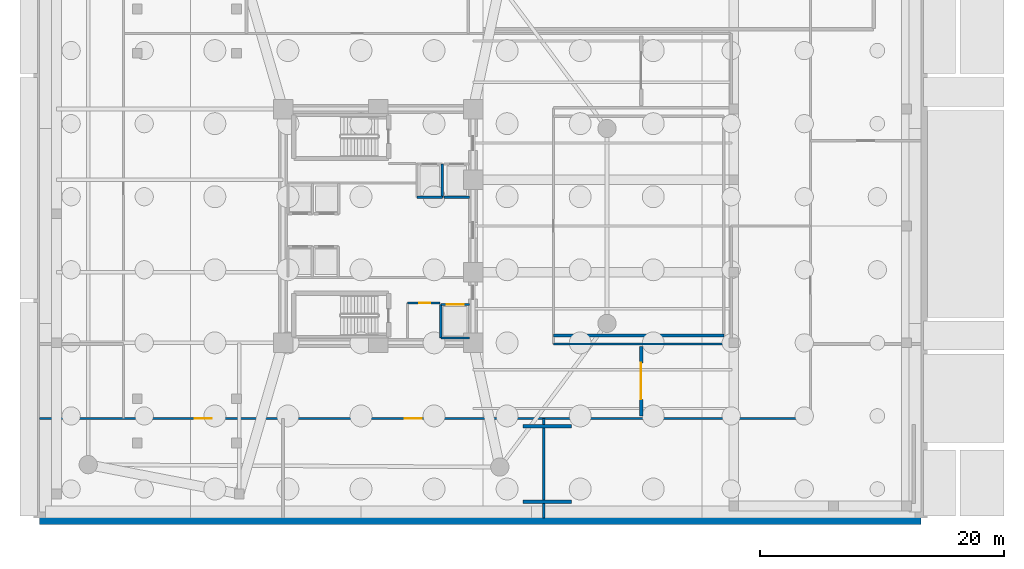
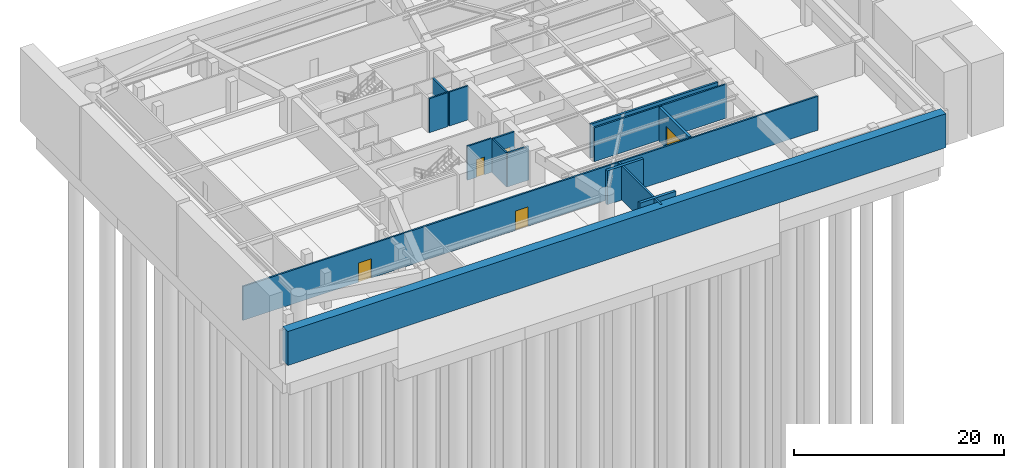
# One storey, part 4 of 8: 15 walls, 5 doors, 5 openings.
"""IFC4 building model written with IfcOpenShell, lengths in metres."""

import ifcopenshell
import ifcopenshell.guid

model = None  # the IFC model being written
_history = None  # IfcOwnerHistory: only IFC2X3 demands one
_inside = {}  # id of a spatial element -> (the spatial element, [elements in it])
_under = {}  # id of a project, library or spatial element -> (it, [spatial elements below it])
_declared = {}  # id of a project -> (the project, [libraries it declares])
_typed = {}  # id of a type object -> (the type object, [elements of that type])
_made_of = {}  # id of a material, layer set ... -> (it, [elements and type objects made of it])


def new_model(schema):
    """Start an empty IFC model of exactly this schema.

    Asked for "IFC4X3", IfcOpenShell would pick the latest addendum, in which some entities
    have other attributes; the version numbers below select the first issue.
    IFC2X3 requires an IfcOwnerHistory on every rooted entity: one is made here for all.
    """
    global model, _history
    if schema == "IFC4X3":
        model = ifcopenshell.file(schema_version=(4, 3, 0, 0))
    else:
        model = ifcopenshell.file(schema=schema)
    _inside.clear()
    _under.clear()
    _declared.clear()
    _typed.clear()
    _made_of.clear()
    _history = None
    if model.schema == "IFC2X3":
        org = make("IfcOrganization", Name="unknown")
        user = make(
            "IfcPersonAndOrganization",
            ThePerson=make("IfcPerson", FamilyName="unknown"),
            TheOrganization=org,
        )
        app = make(
            "IfcApplication",
            ApplicationDeveloper=org,
            Version="unknown",
            ApplicationFullName="unknown",
            ApplicationIdentifier="unknown",
        )
        _history = make(
            "IfcOwnerHistory",
            OwningUser=user,
            OwningApplication=app,
            ChangeAction="ADDED",
            CreationDate=0,
        )
    return model


def make(cls, **values):
    """One entity of the class cls with the attributes given. An attribute that is None is left unset."""
    return model.create_entity(
        cls, **{name: value for name, value in values.items() if value is not None}
    )


def rooted(cls, **values):
    """An entity with a GlobalId (a new one), such as an element, a storey or a relation."""
    return make(cls, GlobalId=ifcopenshell.guid.new(), OwnerHistory=_history, **values)


def si_unit(unit_type, name, prefix=None):
    """IfcSIUnit, for example si_unit("LENGTHUNIT", "METRE", prefix="MILLI")."""
    return make("IfcSIUnit", UnitType=unit_type, Prefix=prefix, Name=name)


def assignment(units):
    """IfcUnitAssignment: the units of a project."""
    return None if units is None else make("IfcUnitAssignment", Units=units)


def point(xyz):
    """IfcCartesianPoint."""
    return None if xyz is None else make("IfcCartesianPoint", Coordinates=xyz)


def direction(xyz):
    """IfcDirection."""
    return None if xyz is None else make("IfcDirection", DirectionRatios=xyz)


def frame(location, z_axis=None, x_axis=None):
    """IfcAxis2Placement3D, a coordinate frame: its origin and axes. An axis left out is left unset."""
    return make(
        "IfcAxis2Placement3D",
        Location=point(location),
        Axis=direction(z_axis),
        RefDirection=direction(x_axis),
    )


def frame_2d(location, x_axis=None):
    """IfcAxis2Placement2D, a coordinate frame in the plane: its origin and x axis."""
    return make(
        "IfcAxis2Placement2D", Location=point(location), RefDirection=direction(x_axis)
    )


def origin():
    """The frame at (0, 0, 0) with its axes left unset."""
    return frame((0.0, 0.0, 0.0))


def place(relative_to, where):
    """IfcLocalPlacement: puts the frame where relative to a parent placement (None: the world)."""
    return make(
        "IfcLocalPlacement", PlacementRelTo=relative_to, RelativePlacement=where
    )


def context(
    kind, dimensions, precision=None, world=None, true_north=None, identifier=None
):
    """IfcGeometricRepresentationContext, for example the 3D "Model" context."""
    return make(
        "IfcGeometricRepresentationContext",
        ContextIdentifier=identifier,
        ContextType=kind,
        CoordinateSpaceDimension=dimensions,
        Precision=precision,
        WorldCoordinateSystem=world,
        TrueNorth=true_north,
    )


def subcontext(parent, identifier, kind, view, scale=None):
    """IfcGeometricRepresentationSubContext, for example "Body" below "Model"."""
    return make(
        "IfcGeometricRepresentationSubContext",
        ContextIdentifier=identifier,
        ContextType=kind,
        ParentContext=parent,
        TargetScale=scale,
        TargetView=view,
    )


def project(units=None, contexts=None):
    """IfcProject with its units and contexts."""
    return rooted(
        "IfcProject",
        Name="project",
        RepresentationContexts=contexts,
        UnitsInContext=assignment(units),
    )


def spatial(cls, under=None, at=None, **own):
    """A site, building, storey or space (cls), placed at a placement, below another one or the project."""
    s = rooted(cls, ObjectPlacement=at, **own)
    if under is not None:
        _under.setdefault(under.id(), (under, []))[1].append(s)
    return s


def profile(cls, at=None, kind="AREA", **sizes):
    """A parametric profile (cls). Its sizes go by their IFC names, for example OverallWidth=200.0."""
    return make(cls, ProfileType=kind, Position=at, **sizes)


def rectangle(**sizes):
    """IfcRectangleProfileDef."""
    return profile("IfcRectangleProfileDef", **sizes)


def extrude(swept, where, along, depth):
    """IfcExtrudedAreaSolid: the profile swept, set in the frame where, extruded along a direction by depth."""
    return make(
        "IfcExtrudedAreaSolid",
        SweptArea=swept,
        Position=where,
        ExtrudedDirection=direction(along),
        Depth=depth,
    )


def shape(context_of_items, identifier, shape_type, items):
    """IfcShapeRepresentation: the items that make up one representation, for example the "Body"."""
    return make(
        "IfcShapeRepresentation",
        ContextOfItems=context_of_items,
        RepresentationIdentifier=identifier,
        RepresentationType=shape_type,
        Items=items,
    )


def material(Name=None, Category=None):
    """IfcMaterial."""
    return make("IfcMaterial", Name=Name, Category=Category)


def layer(
    of_material, thickness, ventilated=None, Name=None, Category=None, Priority=None
):
    """IfcMaterialLayer: one layer of a wall or slab, of a material (None: an air gap)."""
    return make(
        "IfcMaterialLayer",
        Material=of_material,
        LayerThickness=thickness,
        IsVentilated=ventilated,
        Name=Name,
        Category=Category,
        Priority=Priority,
    )


def layer_set(layers, Name=None):
    """IfcMaterialLayerSet."""
    return make("IfcMaterialLayerSet", MaterialLayers=layers, LayerSetName=Name)


def made_of(thing, what):
    """Note that an element or type object is made of a material, layer set ...; save() writes the relation."""
    if what is not None:
        _made_of.setdefault(what.id(), (what, []))[1].append(thing)
    return thing


def type_object(cls, material=None, **own):
    """A type object (cls), such as IfcWallType, which elements share."""
    return made_of(rooted(cls, **own), material)


def element(
    cls,
    number,
    at=None,
    inside=None,
    cuts=None,
    type_object=None,
    material=None,
    context=None,
    identifier="Body",
    shape_type=None,
    held_by="IfcProductDefinitionShape",
    body=None,
    shapes=None,
    **own,
):
    """One element of the class cls, such as IfcWall. Its Tag is "e" and its number.

    at: its placement. inside: the storey or other place that contains it. cuts: it is an
    opening in that element (IfcRelVoidsElement). A single representation is given by context,
    identifier, shape_type and body (its items); several are given by shapes. held_by: the class
    of the entity that holds the representations. save() writes the other relations.
    """
    e = rooted(cls, Tag="e%d" % number, ObjectPlacement=at, **own)
    if body is not None:
        shapes = [shape(context, identifier, shape_type, body)]
    if shapes is not None:
        e.Representation = make(held_by, Representations=shapes)
    if inside is not None:
        _inside.setdefault(inside.id(), (inside, []))[1].append(e)
    if cuts is not None:
        rooted(
            "IfcRelVoidsElement", RelatingBuildingElement=cuts, RelatedOpeningElement=e
        )
    if type_object is not None:
        _typed.setdefault(type_object.id(), (type_object, []))[1].append(e)
    return made_of(e, material)


def fill(opening, filler):
    """IfcRelFillsElement: the door or window that sits in an opening."""
    return rooted(
        "IfcRelFillsElement",
        RelatingOpeningElement=opening,
        RelatedBuildingElement=filler,
    )


def aggregate(whole, parts):
    """IfcRelAggregates: a whole, such as a stair, and the parts it consists of."""
    return rooted("IfcRelAggregates", RelatingObject=whole, RelatedObjects=parts)


def save(model, path):
    """Write the relations noted so far, then the file.

    IfcRelAggregates (storeys below a building ...), IfcRelContainedInSpatialStructure (elements
    in a storey), IfcRelDefinesByType, IfcRelAssociatesMaterial and IfcRelDeclares: one each for
    every whole, place, type object, material and project.
    """
    for whole, parts in _under.values():
        aggregate(whole, parts)
    for where, things in _inside.values():
        rooted(
            "IfcRelContainedInSpatialStructure",
            RelatedElements=things,
            RelatingStructure=where,
        )
    for kind, things in _typed.values():
        rooted("IfcRelDefinesByType", RelatedObjects=things, RelatingType=kind)
    for what, things in _made_of.values():
        rooted("IfcRelAssociatesMaterial", RelatedObjects=things, RelatingMaterial=what)
    for by, libraries in _declared.values():
        rooted("IfcRelDeclares", RelatingContext=by, RelatedDefinitions=libraries)
    model.write(path)


model = new_model("IFC4")

# Units and contexts
model_context = context("Model", 3, precision=1e-05, world=origin(), true_north=direction((0.0, 1.0)))
body_context = subcontext(model_context, "Body", "Model", "MODEL_VIEW")
ifc_project = project(units=[si_unit("LENGTHUNIT", "METRE"), si_unit("AREAUNIT", "SQUARE_METRE"), si_unit("VOLUMEUNIT", "CUBIC_METRE"), si_unit("PLANEANGLEUNIT", "RADIAN"), si_unit("MASSUNIT", "GRAM", prefix="KILO")], contexts=[model_context])

# Site, building, storey
site_placement = place(None, origin())
site = spatial("IfcSite", under=ifc_project, at=site_placement, CompositionType="ELEMENT")
building_placement = place(site_placement, origin())
building = spatial("IfcBuilding", under=site, at=building_placement, Name="An Khanh Terracotta Commons", CompositionType="ELEMENT")
storey_placement = place(building_placement, frame((0.0, 0.0, -8.39990234375)))
storey = spatial("IfcBuildingStorey", under=building, at=storey_placement, Name="B02", CompositionType="ELEMENT", Elevation=-8.39990234375)

# Wall, opening, door
ifc_material_1 = material(Name="Fire-Rated Gypsum Board on Steel Stud", Category="steel")
ifc_layer_1 = layer(ifc_material_1, 0.179931640625, Name="Fire-Rated Gypsum Board on Steel Stud")
ifc_layer_set_1 = layer_set([ifc_layer_1], Name="Fire-Rated Gypsum Board on Steel Stud")
wall_type_1 = type_object("IfcWallType", Name="WALL-CORR-180", PredefinedType="PARTITIONING", material=ifc_layer_set_1)
wall_1_placement = place(storey_placement, frame((31.820068359375, 17.679931640625, 0.0), z_axis=(0.0, 0.0, 1.0), x_axis=(1.0, 0.0, 0.0)))
wall_1 = element("IfcWall", 1, at=wall_1_placement, inside=storey, type_object=wall_type_1, Name="B02 Core Wall SSVCW-B02-N", PredefinedType="PARTITIONING", context=body_context, shape_type="SweptSolid", body=[
    extrude(rectangle(XDim=2.659912109375, YDim=0.179931640625, at=frame_2d((1.330078125, 0.0))), origin(), (0.0, 0.0, 1.0), 3.949951171875),
])
opening_1_placement = place(wall_1_placement, frame((0.949951171875, 0.0, 0.0)))
opening_1 = element("IfcOpeningElement", 2, at=opening_1_placement, cuts=wall_1, Name="Opening D-SV", PredefinedType="OPENING", context=body_context, shape_type="SweptSolid", body=[
    extrude(rectangle(XDim=0.89990234375, YDim=2.050048828125, at=frame_2d((0.449951171875, 1.02490234375))), frame((0.0, 0.099853515625, 0.0), z_axis=(0.0, -1.0, 0.0), x_axis=(1.0, 0.0, 0.0)), (0.0, 0.0, 1.0), 0.199951171875),
])
ifc_material_2 = material(Name="Fire-Rated Powder-Coated Steel Door", Category="steel")
door_type_1 = type_object("IfcDoorType", Name="DOOR-SERV-900", OperationType="NOTDEFINED", PredefinedType="DOOR", material=ifc_material_2)
door_1_placement = place(opening_1_placement, origin())
door_1 = element("IfcDoor", 3, at=door_1_placement, inside=storey, type_object=door_type_1, Name="B02 Electrical Switch Cupboard Door", OperationType="SINGLE_SWING_RIGHT", OverallHeight=2.050048828125, OverallWidth=0.89990234375, PredefinedType="DOOR", context=body_context, shape_type="SweptSolid", body=[
    extrude(rectangle(XDim=0.89990234375, YDim=2.050048828125, at=frame_2d((0.449951171875, 1.02490234375))), frame((0.0, 0.02490234375, 0.0), z_axis=(0.0, -1.0, 0.0), x_axis=(1.0, 0.0, 0.0)), (0.0, 0.0, 1.0), 0.050048828125),
])
fill(opening_1, door_1)

# Walls
wall_2_placement = place(storey_placement, frame((34.679931640625, 26.35009765625, 0.0), z_axis=(0.0, 0.0, 1.0), x_axis=(-1.0, 0.0, 0.0)))
element("IfcWall", 4, at=wall_2_placement, inside=storey, type_object=wall_type_1, Name="B02 Core Wall LSH-B02-FFL-01-S", PredefinedType="PARTITIONING", context=body_context, shape_type="SweptSolid", body=[
    extrude(rectangle(XDim=2.079833984375, YDim=0.179931640625, at=frame_2d((1.0400390625, 0.0))), origin(), (0.0, 0.0, 1.0), 3.949951171875),
])
wall_3_placement = place(storey_placement, frame((34.679931640625, 26.35009765625, 0.0), z_axis=(0.0, 0.0, 1.0), x_axis=(0.0, 1.0, 0.0)))
element("IfcWall", 5, at=wall_3_placement, inside=storey, type_object=wall_type_1, Name="B02 Core Wall LSH-B02-FFL-01-E", PredefinedType="PARTITIONING", context=body_context, shape_type="SweptSolid", body=[
    extrude(rectangle(XDim=2.72998046875, YDim=0.179931640625, at=frame_2d((1.364990234375, 0.0))), origin(), (0.0, 0.0, 1.0), 3.949951171875),
])
wall_4_placement = place(storey_placement, frame((36.89990234375, 26.35009765625, 0.0), z_axis=(0.0, 0.0, 1.0), x_axis=(-1.0, 0.0, 0.0)))
element("IfcWall", 6, at=wall_4_placement, inside=storey, type_object=wall_type_1, Name="B02 Core Wall LSH-B02-FFL-02-S", PredefinedType="PARTITIONING", context=body_context, shape_type="SweptSolid", body=[
    extrude(rectangle(XDim=2.079833984375, YDim=0.179931640625, at=frame_2d((1.0400390625, 0.0))), origin(), (0.0, 0.0, 1.0), 3.949951171875),
])

# Wall, opening, door
wall_5_placement = place(storey_placement, frame((34.550048828125, 17.550048828125, 0.0), z_axis=(0.0, 0.0, 1.0), x_axis=(1.0, 0.0, 0.0)))
wall_5 = element("IfcWall", 7, at=wall_5_placement, inside=storey, type_object=wall_type_1, Name="B02 Core Wall LSH-B02-SVL-01-N", PredefinedType="PARTITIONING", context=body_context, shape_type="SweptSolid", body=[
    extrude(rectangle(XDim=2.349853515625, YDim=0.179931640625, at=frame_2d((1.1748046875, 0.0))), origin(), (0.0, 0.0, 1.0), 3.949951171875),
])
opening_2_placement = place(wall_5_placement, frame((0.47509765625, 0.0, 0.0)))
opening_2 = element("IfcOpeningElement", 8, at=opening_2_placement, cuts=wall_5, Name="Opening LD-SVL-01-B02", PredefinedType="OPENING", context=body_context, shape_type="SweptSolid", body=[
    extrude(rectangle(XDim=1.39990234375, YDim=2.300048828125, at=frame_2d((0.699951171875, 1.14990234375))), frame((0.0, 0.099853515625, 0.0), z_axis=(0.0, -1.0, 0.0), x_axis=(1.0, 0.0, 0.0)), (0.0, 0.0, 1.0), 0.199951171875),
])
ifc_material_3 = material(Name="Heavy-Duty Stainless Steel Goods Landing Door", Category="steel")
door_type_2 = type_object("IfcDoorType", Name="DOOR-LD-SVL-1400", OperationType="NOTDEFINED", PredefinedType="DOOR", material=ifc_material_3)
door_2_placement = place(opening_2_placement, origin())
door_2 = element("IfcDoor", 9, at=door_2_placement, inside=storey, type_object=door_type_2, Name="B02 Lift SVL-01 Sliding Landing Door", OperationType="DOUBLE_DOOR_SLIDING", OverallHeight=2.300048828125, OverallWidth=1.39990234375, PredefinedType="DOOR", context=body_context, shape_type="SweptSolid", body=[
    extrude(rectangle(XDim=1.39990234375, YDim=2.300048828125, at=frame_2d((0.699951171875, 1.14990234375))), frame((0.0, 0.02490234375, 0.0), z_axis=(0.0, -1.0, 0.0), x_axis=(1.0, 0.0, 0.0)), (0.0, 0.0, 1.0), 0.050048828125),
])
fill(opening_2, door_2)

# Walls
wall_6_placement = place(storey_placement, frame((36.89990234375, 14.800048828125, 0.0), z_axis=(0.0, 0.0, 1.0), x_axis=(-1.0, 0.0, 0.0)))
element("IfcWall", 10, at=wall_6_placement, inside=storey, type_object=wall_type_1, Name="B02 Core Wall LSH-B02-SVL-01-S", PredefinedType="PARTITIONING", context=body_context, shape_type="SweptSolid", body=[
    extrude(rectangle(XDim=2.349853515625, YDim=0.179931640625, at=frame_2d((1.1748046875, 0.0))), origin(), (0.0, 0.0, 1.0), 3.949951171875),
])
wall_7_placement = place(storey_placement, frame((34.550048828125, 17.550048828125, 0.0), z_axis=(0.0, 0.0, 1.0), x_axis=(0.0, -1.0, 0.0)))
element("IfcWall", 11, at=wall_7_placement, inside=storey, type_object=wall_type_1, Name="B02 Core Wall LSH-B02-SVL-01-W", PredefinedType="PARTITIONING", context=body_context, shape_type="SweptSolid", body=[
    extrude(rectangle(XDim=2.75, YDim=0.179931640625, at=frame_2d((1.375, 0.0))), origin(), (0.0, 0.0, 1.0), 3.949951171875),
])

# Wall, openings, doors
wall_8_placement = place(storey_placement, frame((1.60009765625, 8.199951171875, 0.0), z_axis=(0.0, 0.0, 1.0), x_axis=(1.0, 0.0, 0.0)))
wall_8 = element("IfcWall", 12, at=wall_8_placement, inside=storey, type_object=wall_type_1, Name="B02 Interior Partition IW-B02-E001", PredefinedType="PARTITIONING", context=body_context, shape_type="SweptSolid", body=[
    extrude(rectangle(XDim=63.2998046875, YDim=0.179931640625, at=frame_2d((31.64990234375, 0.0))), origin(), (0.0, 0.0, 1.0), 3.949951171875),
])
opening_3_placement = place(wall_8_placement, frame((12.75, 0.0, 0.0)))
opening_3 = element("IfcOpeningElement", 13, at=opening_3_placement, cuts=wall_8, Name="Opening D-PL", PredefinedType="OPENING", context=body_context, shape_type="SweptSolid", body=[
    extrude(rectangle(XDim=1.39990234375, YDim=2.25, at=frame_2d((0.699951171875, 1.125))), frame((0.0, 0.099853515625, 0.0), z_axis=(0.0, -1.0, 0.0), x_axis=(1.0, 0.0, 0.0)), (0.0, 0.0, 1.0), 0.199951171875),
])
opening_4_placement = place(wall_8_placement, frame((30.0, 0.0, 0.0)))
opening_4 = element("IfcOpeningElement", 14, at=opening_4_placement, cuts=wall_8, Name="Opening D-PL", PredefinedType="OPENING", context=body_context, shape_type="SweptSolid", body=[
    extrude(rectangle(XDim=1.39990234375, YDim=2.25, at=frame_2d((0.699951171875, 1.125))), frame((0.0, 0.099853515625, 0.0), z_axis=(0.0, -1.0, 0.0), x_axis=(1.0, 0.0, 0.0)), (0.0, 0.0, 1.0), 0.199951171875),
])
ifc_material_4 = material(Name="Heavy-Duty Acoustic Steel Double Plant Door", Category="steel")
door_type_3 = type_object("IfcDoorType", Name="DOOR-PLANT-1400", OperationType="NOTDEFINED", PredefinedType="DOOR", material=ifc_material_4)
door_3_placement = place(opening_3_placement, origin())
door_3 = element("IfcDoor", 15, at=door_3_placement, inside=storey, type_object=door_type_3, Name="B02 FWT Fire Water Reserve Tank Room Door", OperationType="DOUBLE_DOOR_SINGLE_SWING", OverallHeight=2.25, OverallWidth=1.39990234375, PredefinedType="DOOR", context=body_context, shape_type="SweptSolid", body=[
    extrude(rectangle(XDim=1.39990234375, YDim=2.25, at=frame_2d((0.699951171875, 1.125))), frame((0.0, 0.02490234375, 0.0), z_axis=(0.0, -1.0, 0.0), x_axis=(1.0, 0.0, 0.0)), (0.0, 0.0, 1.0), 0.050048828125),
])
fill(opening_3, door_3)
door_4_placement = place(opening_4_placement, origin())
door_4 = element("IfcDoor", 16, at=door_4_placement, inside=storey, type_object=door_type_3, Name="B02 DWT Domestic Potable Water Tank Room Door", OperationType="DOUBLE_DOOR_SINGLE_SWING", OverallHeight=2.25, OverallWidth=1.39990234375, PredefinedType="DOOR", context=body_context, shape_type="SweptSolid", body=[
    extrude(rectangle(XDim=1.39990234375, YDim=2.25, at=frame_2d((0.699951171875, 1.125))), frame((0.0, 0.02490234375, 0.0), z_axis=(0.0, -1.0, 0.0), x_axis=(1.0, 0.0, 0.0)), (0.0, 0.0, 1.0), 0.050048828125),
])
fill(opening_4, door_4)

# Walls
wall_9_placement = place(storey_placement, frame((43.800048828125, 14.300048828125, 0.0), z_axis=(0.0, 0.0, 1.0), x_axis=(1.0, 0.0, 0.0)))
element("IfcWall", 17, at=wall_9_placement, inside=storey, type_object=wall_type_1, Name="B02 Interior Partition IW-B02-E003", PredefinedType="PARTITIONING", context=body_context, shape_type="SweptSolid", body=[
    extrude(rectangle(XDim=14.599853515625, YDim=0.179931640625, at=frame_2d((7.2998046875, 0.0))), origin(), (0.0, 0.0, 1.0), 3.949951171875),
])
ifc_material_5 = material(Name="Concrete C50/60", Category="concrete")
ifc_layer_2 = layer(ifc_material_5, 1.0, Name="Concrete C50/60")
ifc_layer_set_2 = layer_set([ifc_layer_2], Name="Concrete C50/60")
wall_type_2 = type_object("IfcWallType", Name="WALL-DIAPH-1000", PredefinedType="SOLIDWALL", material=ifc_layer_set_2)
wall_10_placement = place(storey_placement, frame((1.60009765625, 0.0, 0.0), z_axis=(0.0, 0.0, 1.0), x_axis=(1.0, 0.0, 0.0)))
element("IfcWall", 18, at=wall_10_placement, inside=storey, type_object=wall_type_2, Name="B02 Perimeter Diaphragm Wall 1", PredefinedType="SOLIDWALL", context=body_context, shape_type="SweptSolid", body=[
    extrude(rectangle(XDim=72.39990234375, YDim=1.0, at=frame_2d((36.199951171875, 0.0))), origin(), (0.0, 0.0, 1.0), 3.949951171875),
])
ifc_material_6 = material(Name="Acoustic Double-Stud Gypsum and Mineral Wool")
ifc_layer_3 = layer(ifc_material_6, 0.219970703125, Name="Acoustic Double-Stud Gypsum and Mineral Wool")
ifc_layer_set_3 = layer_set([ifc_layer_3], Name="Acoustic Double-Stud Gypsum and Mineral Wool")
wall_type_3 = type_object("IfcWallType", Name="WALL-PARTY-220", PredefinedType="PARTITIONING", material=ifc_layer_set_3)
wall_11_placement = place(storey_placement, frame((43.800048828125, 15.0, 0.0), z_axis=(0.0, 0.0, 1.0), x_axis=(1.0, 0.0, 0.0)))
element("IfcWall", 19, at=wall_11_placement, inside=storey, type_object=wall_type_3, Name="B02 Interior Partition IW-B02-E005", PredefinedType="PARTITIONING", context=body_context, shape_type="SweptSolid", body=[
    extrude(rectangle(XDim=14.0, YDim=0.219970703125, at=frame_2d((7.0, 0.0))), origin(), (0.0, 0.0, 1.0), 3.949951171875),
])
wall_12_placement = place(storey_placement, frame((43.0, 0.0, 0.0), z_axis=(0.0, 0.0, 1.0), x_axis=(0.0, 1.0, 0.0)))
element("IfcWall", 20, at=wall_12_placement, inside=storey, type_object=wall_type_3, Name="B02 Interior Partition IW-B02-E017", PredefinedType="PARTITIONING", context=body_context, shape_type="SweptSolid", body=[
    extrude(rectangle(XDim=8.199951171875, YDim=0.219970703125, at=frame_2d((4.10009765625, 0.0))), origin(), (0.0, 0.0, 1.0), 3.949951171875),
])
ifc_material_7 = material(Name="Concrete C40/50", Category="concrete")
ifc_layer_4 = layer(ifc_material_7, 0.300048828125, Name="Concrete C40/50")
ifc_layer_set_4 = layer_set([ifc_layer_4], Name="Concrete C40/50")
wall_type_4 = type_object("IfcWallType", Name="WALL-RAMP-300", PredefinedType="SOLIDWALL", material=ifc_layer_set_4)
for number, where, z_axis, x_axis, name in (
    (21, (41.300048828125, 1.35009765625, 0.0), (0.0, 0.0, 1.0), (1.0, 0.0, 0.0), "B02 Grade Ramp Foot Support Wall South"),
    (22, (41.300048828125, 7.550048828125, 0.0), (0.0, 0.0, 1.0), (1.0, 0.0, 0.0), "B02 Grade Ramp Foot Support Wall North"),
):
    element("IfcWall", number, at=place(storey_placement, frame(where, z_axis=z_axis, x_axis=x_axis)), inside=storey, type_object=wall_type_4, Name=name, PredefinedType="SOLIDWALL", context=body_context, shape_type="SweptSolid", body=[
        extrude(rectangle(XDim=4.0, YDim=0.300048828125, at=frame_2d((2.0, 0.0))), origin(), (0.0, 0.0, 1.0), 3.949951171875),
    ])

# Wall, opening, door
wall_13_placement = place(storey_placement, frame((51.0, 8.39990234375, 0.0), z_axis=(0.0, 0.0, 1.0), x_axis=(0.0, 1.0, 0.0)))
wall_13 = element("IfcWall", 23, at=wall_13_placement, inside=storey, type_object=wall_type_4, Name="B02 Car Park Fire Compartment Portal Wall 1", PredefinedType="SOLIDWALL", context=body_context, shape_type="SweptSolid", body=[
    extrude(rectangle(XDim=5.7001953125, YDim=0.300048828125, at=frame_2d((2.85009765625, 0.0))), origin(), (0.0, 0.0, 1.0), 3.949951171875),
])
opening_5_placement = place(wall_13_placement, frame((1.35009765625, 0.0, 0.0)))
opening_5 = element("IfcOpeningElement", 24, at=opening_5_placement, cuts=wall_13, Name="Opening VG-B02-1", PredefinedType="OPENING", context=body_context, shape_type="SweptSolid", body=[
    extrude(rectangle(XDim=3.0, YDim=2.550048828125, at=frame_2d((1.5, 1.27490234375))), frame((0.0, 0.159912109375, 0.0), z_axis=(0.0, -1.0, 0.0), x_axis=(1.0, 0.0, 0.0)), (0.0, 0.0, 1.0), 0.320068359375),
])
ifc_material_8 = material(Name="Galvanised Fire-Rated Steel Roller Shutter", Category="steel")
door_type_4 = type_object("IfcDoorType", Name="GATE-PLANT-3000", OperationType="NOTDEFINED", PredefinedType="GATE", material=ifc_material_8)
door_5_placement = place(opening_5_placement, origin())
door_5 = element("IfcDoor", 25, at=door_5_placement, inside=storey, type_object=door_type_4, Name="B02 Car Park Fire Compartment Roller Shutter 1", OperationType="ROLLINGUP", OverallHeight=2.550048828125, OverallWidth=3.0, PredefinedType="GATE", context=body_context, shape_type="SweptSolid", body=[
    extrude(rectangle(XDim=3.0, YDim=2.550048828125, at=frame_2d((1.5, 1.27490234375))), frame((0.0, 0.02490234375, 0.0), z_axis=(0.0, -1.0, 0.0), x_axis=(1.0, 0.0, 0.0)), (0.0, 0.0, 1.0), 0.050048828125),
])
fill(opening_5, door_5)

save(model, "model.ifc")
